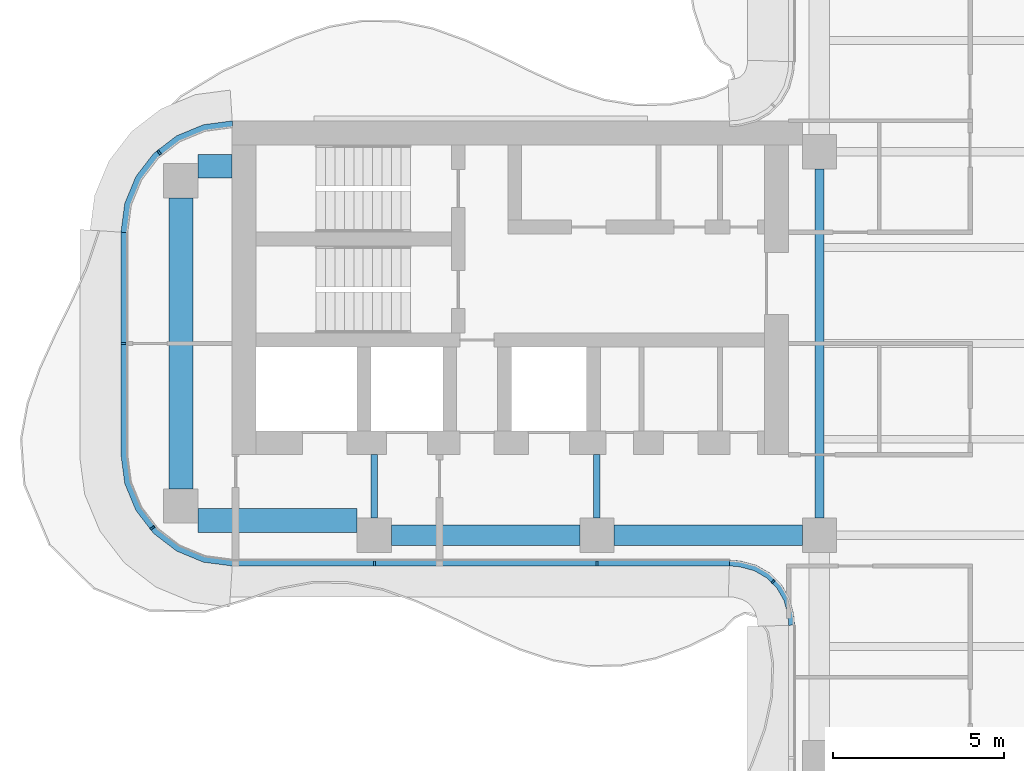
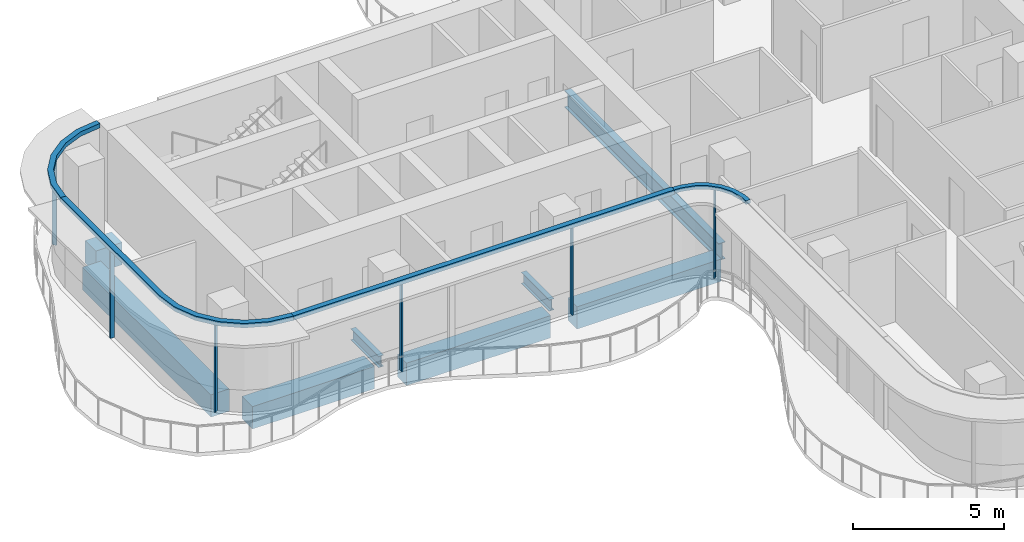
# One storey, part 3 of 16: 10 members, 8 beams, 4 elements without a shape of their own.
"""IFC4 building model written with IfcOpenShell, lengths in metres."""

from ifc_helpers import new_model, si_unit, direction, frame, origin, origin_2d, place, context, subcontext, project, spatial, polyline, rectangle, i_section, outline, extrude, source, transform, mapped, material, layer, layer_set, material_profile, profile_set, type_object, element, aggregate, save


model = new_model("IFC4")

# Units and contexts
model_context = context("Model", 3, precision=1e-05, world=origin(), true_north=direction((0.0, 1.0)))
body_context = subcontext(model_context, "Body", "Model", "MODEL_VIEW")
ifc_project = project(units=[si_unit("LENGTHUNIT", "METRE"), si_unit("AREAUNIT", "SQUARE_METRE"), si_unit("VOLUMEUNIT", "CUBIC_METRE"), si_unit("PLANEANGLEUNIT", "RADIAN"), si_unit("MASSUNIT", "GRAM", prefix="KILO")], contexts=[model_context])

# Site, building, storey
site_placement = place(None, origin())
site = spatial("IfcSite", under=ifc_project, at=site_placement, CompositionType="ELEMENT")
building_placement = place(site_placement, origin())
building = spatial("IfcBuilding", under=site, at=building_placement, Name="Trellis Farm Tower", CompositionType="ELEMENT")
storey_placement = place(building_placement, frame((0.0, 0.0, 302.800048828125)))
storey = spatial("IfcBuildingStorey", under=building, at=storey_placement, Name="L68", CompositionType="ELEMENT", Elevation=302.800048828125)

# Beams
ifc_material_1 = material(Name="Steel S355", Category="steel")
ifc_material_profile_1 = material_profile(ifc_material_1, i_section(OverallWidth=0.253662109375, OverallDepth=0.68359375, WebThickness=0.012451171875, FlangeThickness=0.021728515625, FilletRadius=0.01513671875, at=origin_2d()), Name="UB 686x254x140")
ifc_profile_set_1 = profile_set([ifc_material_profile_1], Name="Steel S355")
beam_type_1 = type_object("IfcBeamType", Name="UB 686x254x140", PredefinedType="BEAM", material=ifc_profile_set_1)
shared_shape_1 = source(origin(), body_context, "Body", "SweptSolid", [
    extrude(i_section(OverallWidth=0.253662109375, OverallDepth=0.68359375, WebThickness=0.012451171875, FlangeThickness=0.021728515625, FilletRadius=0.01513671875, at=origin_2d()), origin(), (0.0, 0.0, 1.0), 10.2001953125),
])
beam_1_placement = place(storey_placement, frame((-5.60009765625, -5.10009765625, -0.541748046875), z_axis=(0.0, 1.0, 0.0), x_axis=(-1.0, 0.0, 0.0)))
element("IfcBeam", 1, at=beam_1_placement, inside=storey, type_object=beam_type_1, Name="Girder", PredefinedType="BEAM", context=body_context, shape_type="MappedRepresentation", body=[
    mapped(shared_shape_1, transform((0.0, 0.0, 0.0))),
])
ifc_material_profile_2 = material_profile(ifc_material_1, i_section(OverallWidth=0.1904296875, OverallDepth=0.45703125, WebThickness=0.009033203125, FlangeThickness=0.014404296875, FilletRadius=0.01025390625, at=origin_2d()), Name="UB 457x191x74")
ifc_profile_set_2 = profile_set([ifc_material_profile_2], Name="Steel S355")
beam_type_2 = type_object("IfcBeamType", Name="UB 457x191x74", PredefinedType="BEAM", material=ifc_profile_set_2)
shared_shape_2 = source(origin(), body_context, "Body", "SweptSolid", [
    extrude(i_section(OverallWidth=0.1904296875, OverallDepth=0.45703125, WebThickness=0.009033203125, FlangeThickness=0.014404296875, FilletRadius=0.01025390625, at=origin_2d()), origin(), (0.0, 0.0, 1.0), 1.85009765625),
])
for number, where, z_axis, x_axis, name in (
    (2, (-18.60009765625, -5.10009765625, -0.428466796875), (0.0, 1.0, 0.0), (-1.0, 0.0, 0.0), "Girder"),
    (3, (-12.10009765625, -5.10009765625, -0.428466796875), (0.0, 1.0, 0.0), (-1.0, 0.0, 0.0), "Girder"),
):
    element("IfcBeam", number, at=place(storey_placement, frame(where, z_axis=z_axis, x_axis=x_axis)), inside=storey, type_object=beam_type_2, Name=name, PredefinedType="BEAM", context=body_context, shape_type="MappedRepresentation", body=[
        mapped(shared_shape_2, transform((0.0, 0.0, 0.0))),
    ])
ifc_material_2 = material(Name="Concrete C60/75", Category="concrete")
ifc_material_profile_3 = material_profile(ifc_material_2, rectangle(XDim=0.60009765625, YDim=0.89990234375, at=origin_2d()), Name="RC spandrel beam 600x900 C60/75")
ifc_profile_set_3 = profile_set([ifc_material_profile_3], Name="Concrete C60/75")
beam_type_3 = type_object("IfcBeamType", Name="RC spandrel beam 600x900 C60/75", PredefinedType="SPANDREL", material=ifc_profile_set_3)
shared_shape_3 = source(origin(), body_context, "Body", "SweptSolid", [
    extrude(rectangle(XDim=0.60009765625, YDim=0.89990234375, at=origin_2d()), origin(), (0.0, 0.0, 1.0), 5.5),
])
for number, where, z_axis, x_axis, name in (
    (4, (-18.10009765625, -5.60009765625, -0.650146484375), (1.0, 0.0, 0.0), (0.0, 1.0, 0.0), "Girder"),
    (5, (-11.60009765625, -5.60009765625, -0.650146484375), (1.0, 0.0, 0.0), (0.0, 1.0, 0.0), "Girder"),
):
    element("IfcBeam", number, at=place(storey_placement, frame(where, z_axis=z_axis, x_axis=x_axis)), inside=storey, type_object=beam_type_3, Name=name, PredefinedType="SPANDREL", context=body_context, shape_type="MappedRepresentation", body=[
        mapped(shared_shape_3, transform((0.0, 0.0, 0.0))),
    ])
ifc_material_profile_4 = material_profile(ifc_material_2, rectangle(XDim=0.699951171875, YDim=0.89990234375, at=origin_2d()), Name="RC spandrel beam 700x900 C60/75")
ifc_profile_set_4 = profile_set([ifc_material_profile_4], Name="Concrete C60/75")
beam_type_4 = type_object("IfcBeamType", Name="RC spandrel beam 700x900 C60/75", PredefinedType="SPANDREL", material=ifc_profile_set_4)
shared_shape_4 = source(origin(), body_context, "Body", "SweptSolid", [
    extrude(rectangle(XDim=0.699951171875, YDim=0.89990234375, at=origin_2d()), origin(), (0.0, 0.0, 1.0), 1.0),
])
beam_2_placement = place(storey_placement, frame((-23.75, 5.175048828125, -0.650146484375), z_axis=(1.0, 0.0, 0.0), x_axis=(0.0, 1.0, 0.0)))
element("IfcBeam", 6, at=beam_2_placement, inside=storey, type_object=beam_type_4, Name="Girder", PredefinedType="SPANDREL", context=body_context, shape_type="MappedRepresentation", body=[
    mapped(shared_shape_4, transform((0.0, 0.0, 0.0))),
])
shared_shape_5 = source(origin(), body_context, "Body", "SweptSolid", [
    extrude(rectangle(XDim=0.699951171875, YDim=0.89990234375, at=origin_2d()), origin(), (0.0, 0.0, 1.0), 4.64990234375),
])
beam_3_placement = place(storey_placement, frame((-23.75, -5.175048828125, -0.650146484375), z_axis=(1.0, 0.0, 0.0), x_axis=(0.0, 1.0, 0.0)))
element("IfcBeam", 7, at=beam_3_placement, inside=storey, type_object=beam_type_4, Name="Girder", PredefinedType="SPANDREL", context=body_context, shape_type="MappedRepresentation", body=[
    mapped(shared_shape_5, transform((0.0, 0.0, 0.0))),
])
shared_shape_6 = source(origin(), body_context, "Body", "SweptSolid", [
    extrude(rectangle(XDim=0.699951171875, YDim=0.89990234375, at=origin_2d()), origin(), (0.0, 0.0, 1.0), 8.5),
])
beam_4_placement = place(storey_placement, frame((-24.25, -4.25, -0.650146484375), z_axis=(0.0, 1.0, 0.0), x_axis=(-1.0, 0.0, 0.0)))
element("IfcBeam", 8, at=beam_4_placement, inside=storey, type_object=beam_type_4, Name="Girder", PredefinedType="SPANDREL", context=body_context, shape_type="MappedRepresentation", body=[
    mapped(shared_shape_6, transform((0.0, 0.0, 0.0))),
])

# Curtain wall, member
ifc_material_3 = material(Name="Aluminium and glass curtain wall", Category="aluminium")
ifc_layer_1 = layer(ifc_material_3, 0.166015625)
ifc_layer_set_1 = layer_set([ifc_layer_1], Name="WINTER GARDEN CURTAIN WALL CW3")
curtain_wall_type_1 = type_object("IfcCurtainWallType", Name="WINTER GARDEN CURTAIN WALL CW3", PredefinedType="NOTDEFINED", material=ifc_layer_set_1)
placement_1 = place(storey_placement, origin())
curtain_wall_1 = element("IfcCurtainWall", 9, at=placement_1, inside=storey, type_object=curtain_wall_type_1, Name="CW3 001", PredefinedType="NOTDEFINED")
ifc_material_4 = material(Name="Aluminium extrusion 6063-T6", Category="aluminium")
ifc_layer_2 = layer(ifc_material_4, 0.169921875)
ifc_layer_set_2 = layer_set([ifc_layer_2], Name="Aluminium extrusion 6063-T6")
member_type_1 = type_object("IfcMemberType", Name="CW3 TRANSOM 170x150", PredefinedType="USERDEFINED", material=ifc_layer_set_2)
shared_shape_7 = source(origin(), body_context, "Body", "SweptSolid", [
    extrude(outline(polyline([(-8.2314453125, -6.5), (-8.01953125, -6.513916015625), (-7.91552734375, -6.527587890625), (-7.508544921875, -6.63671875), (-7.144287109375, -6.846923828125), (-6.846923828125, -7.144287109375), (-6.63671875, -7.508544921875), (-6.527587890625, -7.91552734375), (-6.513916015625, -8.01953125), (-6.5, -8.2314453125), (-6.330078125, -8.225830078125), (-6.3447265625, -8.0029296875), (-6.360595703125, -7.88232421875), (-6.478271484375, -7.44287109375), (-6.7109375, -7.0400390625), (-7.0400390625, -6.7109375), (-7.44287109375, -6.478271484375), (-7.88232421875, -6.360595703125), (-8.0029296875, -6.3447265625), (-8.225830078125, -6.330078125), (-8.2314453125, -6.5)])), origin(), (0.0, 0.0, 1.0), 0.14990234375),
])
member_1_placement = place(storey_placement, frame((0.0, 0.0, 3.550048828125)))
member_1 = element("IfcMember", 10, at=member_1_placement, type_object=member_type_1, Name="TR3 001", ObjectType="TRANSOM", PredefinedType="USERDEFINED", context=body_context, shape_type="MappedRepresentation", body=[
    mapped(shared_shape_7, transform((0.0, 0.0, 0.0))),
])

# Curtain wall, members
ifc_layer_3 = layer(ifc_material_3, 0.18994140625)
ifc_layer_set_3 = layer_set([ifc_layer_3], Name="RIBBON CURTAIN WALL CW1")
curtain_wall_type_2 = type_object("IfcCurtainWallType", Name="RIBBON CURTAIN WALL CW1", PredefinedType="NOTDEFINED", material=ifc_layer_set_3)
curtain_wall_2 = element("IfcCurtainWall", 11, at=placement_1, inside=storey, type_object=curtain_wall_type_2, Name="CW1 001", PredefinedType="NOTDEFINED")
ifc_material_profile_5 = material_profile(ifc_material_4, rectangle(XDim=0.06005859375, YDim=0.14990234375, at=origin_2d()), Name="MULLION 60x150")
ifc_profile_set_5 = profile_set([ifc_material_profile_5], Name="Aluminium extrusion 6063-T6")
member_type_2 = type_object("IfcMemberType", Name="CW1 MULLION 60x150", PredefinedType="MULLION", material=ifc_profile_set_5)
shared_shape_8 = source(origin(), body_context, "Body", "SweptSolid", [
    extrude(rectangle(XDim=0.06005859375, YDim=0.14990234375, at=origin_2d()), origin(), (0.0, 0.0, 1.0), 3.52001953125),
])
member_2_placement = place(storey_placement, frame((-18.60009765625, -6.425048828125, 0.0), z_axis=(0.0, 0.0, 1.0), x_axis=(1.0, 0.0, 0.0)))
member_2 = element("IfcMember", 12, at=member_2_placement, type_object=member_type_2, Name="MU1 001-01", PredefinedType="MULLION", context=body_context, shape_type="MappedRepresentation", body=[
    mapped(shared_shape_8, transform((0.0, 0.0, 0.0))),
])
member_3_placement = place(storey_placement, frame((-12.10009765625, -6.425048828125, 0.0), z_axis=(0.0, 0.0, 1.0), x_axis=(1.0, 0.0, 0.0)))
member_3 = element("IfcMember", 13, at=member_3_placement, type_object=member_type_2, Name="MU1 001-02", PredefinedType="MULLION", context=body_context, shape_type="MappedRepresentation", body=[
    mapped(shared_shape_8, transform((0.0, 0.0, 0.0))),
])

# Curtain wall, member
curtain_wall_3 = element("IfcCurtainWall", 14, at=placement_1, inside=storey, type_object=curtain_wall_type_2, Name="CW1 013", PredefinedType="NOTDEFINED")
member_4_placement = place(storey_placement, frame((-24.885498046875, 5.578369140625, 0.0), z_axis=(0.0, 0.0, 1.0), x_axis=(-0.793353340291, -0.608761429009, 0.0)))
member_4 = element("IfcMember", 15, at=member_4_placement, type_object=member_type_2, Name="MU1 013-01", PredefinedType="MULLION", context=body_context, shape_type="MappedRepresentation", body=[
    mapped(shared_shape_8, transform((0.0, 0.0, 0.0))),
])

# Curtain wall, members
curtain_wall_4 = element("IfcCurtainWall", 16, at=placement_1, inside=storey, type_object=curtain_wall_type_2, Name="CW1 014", PredefinedType="NOTDEFINED")
member_5_placement = place(storey_placement, frame((-25.925048828125, 0.0, 0.0), z_axis=(0.0, 0.0, 1.0), x_axis=(0.0, -1.0, 0.0)))
member_5 = element("IfcMember", 17, at=member_5_placement, type_object=member_type_2, Name="MU1 014-01", PredefinedType="MULLION", context=body_context, shape_type="MappedRepresentation", body=[
    mapped(shared_shape_8, transform((0.0, 0.0, 0.0))),
])
member_6_placement = place(storey_placement, frame((-25.078369140625, -5.385498046875, 0.0), z_axis=(0.0, 0.0, 1.0), x_axis=(0.608761429009, -0.793353340291, 0.0)))
member_6 = element("IfcMember", 18, at=member_6_placement, type_object=member_type_2, Name="MU1 014-02", PredefinedType="MULLION", context=body_context, shape_type="MappedRepresentation", body=[
    mapped(shared_shape_8, transform((0.0, 0.0, 0.0))),
])

# Member
ifc_material_profile_6 = material_profile(ifc_material_4, rectangle(XDim=0.050048828125, YDim=0.1201171875, at=origin_2d()), Name="MULLION 50x120")
ifc_profile_set_6 = profile_set([ifc_material_profile_6], Name="Aluminium extrusion 6063-T6")
member_type_3 = type_object("IfcMemberType", Name="CW3 MULLION 50x120", PredefinedType="MULLION", material=ifc_profile_set_6)
shared_shape_9 = source(origin(), body_context, "Body", "SweptSolid", [
    extrude(rectangle(XDim=0.050048828125, YDim=0.1201171875, at=origin_2d()), origin(), (0.0, 0.0, 1.0), 3.550048828125),
])
member_7_placement = place(storey_placement, frame((-6.953125, -6.953125, 0.0), z_axis=(0.0, 0.0, 1.0), x_axis=(0.707106781187, -0.707106781187, 0.0)))
member_7 = element("IfcMember", 19, at=member_7_placement, type_object=member_type_3, Name="MU3 001-01", PredefinedType="MULLION", context=body_context, shape_type="MappedRepresentation", body=[
    mapped(shared_shape_9, transform((0.0, 0.0, 0.0))),
])

aggregate(curtain_wall_1, [member_7, member_1])

ifc_layer_4 = layer(ifc_material_4, 0.199951171875)
ifc_layer_set_4 = layer_set([ifc_layer_4], Name="Aluminium extrusion 6063-T6")
member_type_4 = type_object("IfcMemberType", Name="CW1 TRANSOM 200x180", PredefinedType="USERDEFINED", material=ifc_layer_set_4)
shared_shape_10 = source(origin(), body_context, "Body", "SweptSolid", [
    extrude(outline(polyline([(-22.75, -6.5), (-8.2314453125, -6.5), (-8.224853515625, -6.300048828125), (-22.73681640625, -6.300048828125), (-22.75, -6.5)])), origin(), (0.0, 0.0, 1.0), 0.179931640625),
])
placement_2 = place(storey_placement, frame((0.0, 0.0, 3.52001953125)))
member_8 = element("IfcMember", 20, at=placement_2, type_object=member_type_4, Name="TR1 001", ObjectType="TRANSOM", PredefinedType="USERDEFINED", context=body_context, shape_type="MappedRepresentation", body=[
    mapped(shared_shape_10, transform((0.0, 0.0, 0.0))),
])

aggregate(curtain_wall_2, [member_2, member_3, member_8])

shared_shape_11 = source(origin(), body_context, "Body", "SweptSolid", [
    extrude(outline(polyline([(-22.75, 6.5), (-23.591064453125, 6.38916015625), (-24.375, 6.064697265625), (-25.048095703125, 5.548095703125), (-25.564697265625, 4.875), (-25.88916015625, 4.091064453125), (-26.0, 3.25), (-25.800048828125, 3.23681640625), (-25.6943359375, 4.0390625), (-25.389892578125, 4.774169921875), (-24.905517578125, 5.405517578125), (-24.274169921875, 5.889892578125), (-23.5390625, 6.1943359375), (-22.73681640625, 6.300048828125), (-22.75, 6.5)])), origin(), (0.0, 0.0, 1.0), 0.179931640625),
])
member_9 = element("IfcMember", 21, at=placement_2, type_object=member_type_4, Name="TR1 013", ObjectType="TRANSOM", PredefinedType="USERDEFINED", context=body_context, shape_type="MappedRepresentation", body=[
    mapped(shared_shape_11, transform((0.0, 0.0, 0.0))),
])

aggregate(curtain_wall_3, [member_4, member_9])

shared_shape_12 = source(origin(), body_context, "Body", "SweptSolid", [
    extrude(outline(polyline([(-26.0, 3.25), (-26.0, -3.25), (-25.88916015625, -4.091064453125), (-25.564697265625, -4.875), (-25.048095703125, -5.548095703125), (-24.375, -6.064697265625), (-23.591064453125, -6.38916015625), (-22.75, -6.5), (-22.73681640625, -6.300048828125), (-23.5390625, -6.1943359375), (-24.274169921875, -5.889892578125), (-24.905517578125, -5.405517578125), (-25.389892578125, -4.774169921875), (-25.6943359375, -4.0390625), (-25.800048828125, -3.23681640625), (-25.800048828125, 3.23681640625), (-26.0, 3.25)])), origin(), (0.0, 0.0, 1.0), 0.179931640625),
])
member_10 = element("IfcMember", 22, at=placement_2, type_object=member_type_4, Name="TR1 014", ObjectType="TRANSOM", PredefinedType="USERDEFINED", context=body_context, shape_type="MappedRepresentation", body=[
    mapped(shared_shape_12, transform((0.0, 0.0, 0.0))),
])

aggregate(curtain_wall_4, [member_5, member_6, member_10])

save(model, "model.ifc")
